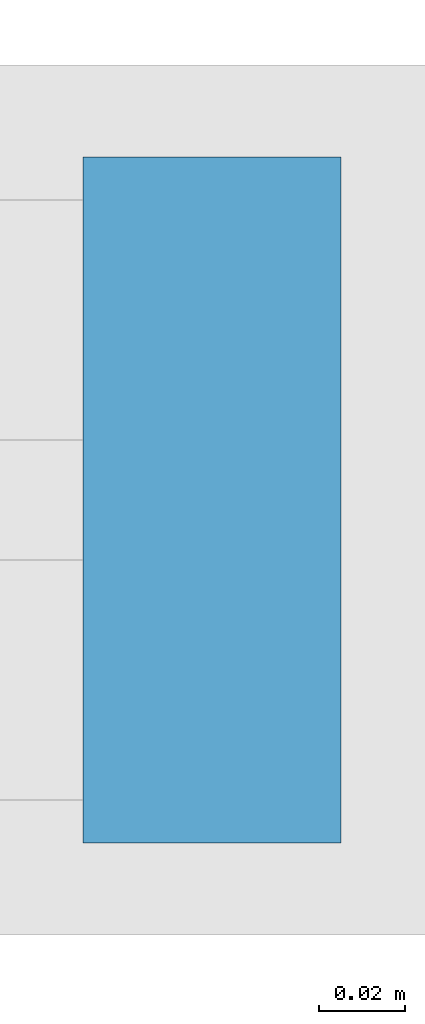
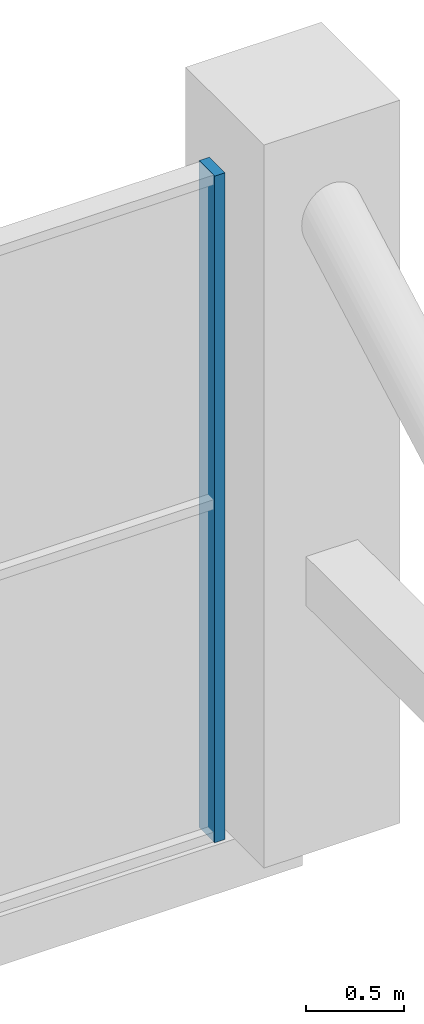
# One storey, part 64 of 103: 1 member, 1 element without a shape of its own.
"""IFC4 building model written with IfcOpenShell, lengths in metres."""

from ifc_helpers import new_model, si_unit, direction, frame, origin, origin_2d, place, context, subcontext, project, spatial, rectangle, extrude, material, layer, layer_set, material_profile, profile_set, type_object, element, aggregate, save


model = new_model("IFC4")

# Units and contexts
model_context = context("Model", 3, precision=1e-05, world=origin(), true_north=direction((0.0, 1.0)))
body_context = subcontext(model_context, "Body", "Model", "MODEL_VIEW")
ifc_project = project(units=[si_unit("LENGTHUNIT", "METRE"), si_unit("AREAUNIT", "SQUARE_METRE"), si_unit("VOLUMEUNIT", "CUBIC_METRE"), si_unit("PLANEANGLEUNIT", "RADIAN"), si_unit("MASSUNIT", "GRAM", prefix="KILO")], contexts=[model_context])

# Site, building, storey
site_placement = place(None, origin())
site = spatial("IfcSite", under=ifc_project, at=site_placement, CompositionType="ELEMENT")
building_placement = place(site_placement, origin())
building = spatial("IfcBuilding", under=site, at=building_placement, Name="Cazmaro Siding Exhibition Halls", CompositionType="ELEMENT")
storey_placement = place(building_placement, frame((0.0, 0.0, 16.5)))
storey = spatial("IfcBuildingStorey", under=building, at=storey_placement, Name="L03", CompositionType="ELEMENT", Elevation=16.5)

# Curtain wall, member
ifc_material_1 = material(Name="Anodized Bronze Aluminum and Solar-Control Low-E Glazing", Category="aluminium")
ifc_layer = layer(ifc_material_1, 0.159912109375)
ifc_layer_set = layer_set([ifc_layer], Name="Anodized Bronze Aluminum and Solar-Control Low-E Glazing")
curtain_wall_type = type_object("IfcCurtainWallType", Name="CWS-04", PredefinedType="USERDEFINED", material=ifc_layer_set)
curtain_wall_placement = place(storey_placement, origin())
curtain_wall = element("IfcCurtainWall", 1, at=curtain_wall_placement, inside=storey, type_object=curtain_wall_type, Name="Clerestory Curtain Wall CWS-04 CW-109", ObjectType="CLERESTORY CURTAIN WALL", PredefinedType="USERDEFINED")
ifc_material_2 = material(Name="Anodized Bronze Extruded Aluminum", Category="aluminium")
ifc_material_profile = material_profile(ifc_material_2, rectangle(XDim=0.159912109375, YDim=0.06005859375, at=origin_2d()), Name="CWM-04")
ifc_profile_set = profile_set([ifc_material_profile], Name="Anodized Bronze Extruded Aluminum")
member_type = type_object("IfcMemberType", Name="CWM-04", PredefinedType="MULLION", material=ifc_profile_set)
member_placement = place(storey_placement, frame((205.324951171875, 53.60009765625, 0.0), z_axis=(0.0, 0.0, 1.0), x_axis=(0.0, -1.0, 0.0)))
member = element("IfcMember", 2, at=member_placement, type_object=member_type, Name="CWS-04 mullion 1", PredefinedType="MULLION", context=body_context, shape_type="SweptSolid", body=[
    extrude(rectangle(XDim=0.159912109375, YDim=0.06005859375, at=origin_2d()), origin(), (0.0, 0.0, 1.0), 4.14990234375),
])
aggregate(curtain_wall, [member])

save(model, "model.ifc")
